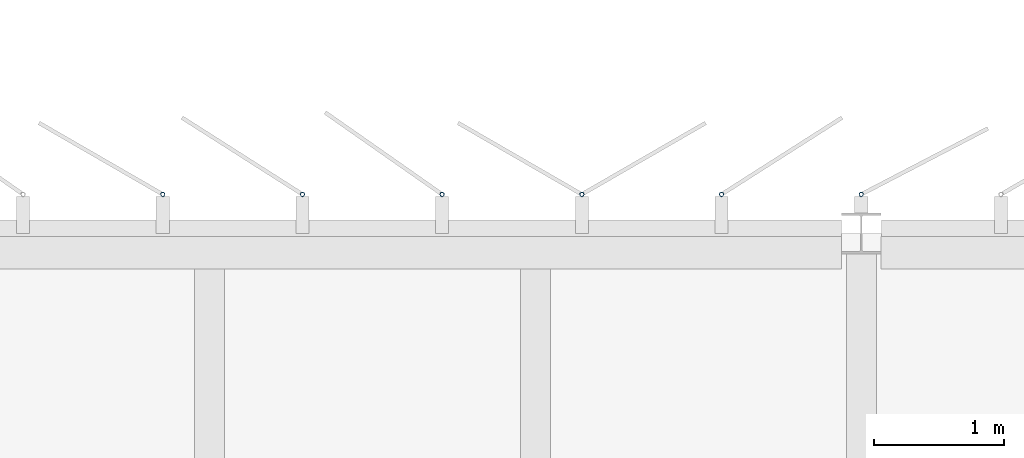
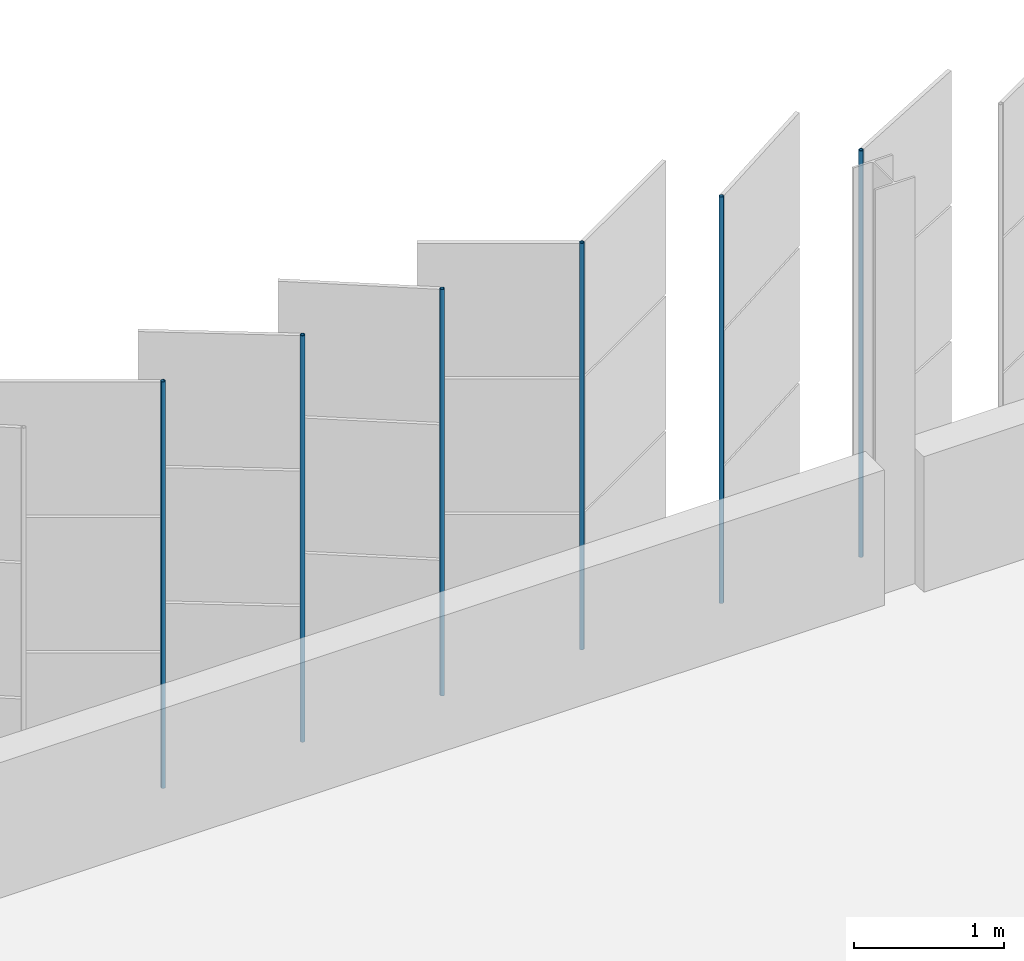
# One storey, part 165 of 214: 6 discrete accessories.
"""IFC4 building model written with IfcOpenShell, lengths in metres."""

from ifc_helpers import new_model, si_unit, direction, frame, origin, origin_2d, place, context, subcontext, project, spatial, hollow_circle, extrude, material, material_profile, profile_set, type_object, element, save


model = new_model("IFC4")

# Units and contexts
model_context = context("Model", 3, precision=1e-05, world=origin(), true_north=direction((0.0, 1.0)))
body_context = subcontext(model_context, "Body", "Model", "MODEL_VIEW")
ifc_project = project(units=[si_unit("LENGTHUNIT", "METRE"), si_unit("AREAUNIT", "SQUARE_METRE"), si_unit("VOLUMEUNIT", "CUBIC_METRE"), si_unit("PLANEANGLEUNIT", "RADIAN"), si_unit("MASSUNIT", "GRAM", prefix="KILO")], contexts=[model_context])

# Site, building, storey
site_placement = place(None, origin())
site = spatial("IfcSite", under=ifc_project, at=site_placement, CompositionType="ELEMENT")
building_placement = place(site_placement, origin())
building = spatial("IfcBuilding", under=site, at=building_placement, Name="Parallax Yard Mobility Hub", CompositionType="ELEMENT")
storey_placement = place(building_placement, frame((0.0, 0.0, 3.300048828125)))
storey = spatial("IfcBuildingStorey", under=building, at=storey_placement, Name="L01", CompositionType="ELEMENT", Elevation=3.300048828125)

# Discrete accessories
ifc_material = material(Name="Steel ASTM A500 Gr C, hot-dip galvanised", Category="steel")
ifc_material_profile = material_profile(ifc_material, hollow_circle(Radius=0.016845703125, WallThickness=0.003173828125, at=origin_2d()), Name="CHS 33.7x3.2")
ifc_profile_set = profile_set([ifc_material_profile], Name="Steel ASTM A500 Gr C, hot-dip galvanised")
discrete_accessory_type = type_object("IfcDiscreteAccessoryType", Name="Hinge post CHS 33.7x3.2", PredefinedType="BRACKET", material=ifc_profile_set)
for number, where, z_axis, x_axis, name in (
    (1, (149.999267578125, 142.800048828125, 0.0), (0.0, 0.0, 1.0), (1.0, 0.0, 0.0), "Hinge post bay 54.1 level L01"),
    (2, (148.927490234375, 142.800048828125, 0.0), (0.0, 0.0, 1.0), (1.0, 0.0, 0.0), "Hinge post bay 54.2 level L01"),
    (3, (147.856201171875, 142.800048828125, 0.0), (0.0, 0.0, 1.0), (1.0, 0.0, 0.0), "Hinge post bay 54.3 level L01"),
    (4, (146.784423828125, 142.800048828125, 0.0), (0.0, 0.0, 1.0), (1.0, 0.0, 0.0), "Hinge post bay 54.4 level L01"),
    (5, (145.712890625, 142.800048828125, 0.0), (0.0, 0.0, 1.0), (1.0, 0.0, 0.0), "Hinge post bay 54.5 level L01"),
    (6, (144.641357421875, 142.800048828125, 0.0), (0.0, 0.0, 1.0), (1.0, 0.0, 0.0), "Hinge post bay 54.6 level L01"),
):
    element("IfcDiscreteAccessory", number, at=place(storey_placement, frame(where, z_axis=z_axis, x_axis=x_axis)), inside=storey, type_object=discrete_accessory_type, Name=name, PredefinedType="BRACKET", context=body_context, shape_type="SweptSolid", body=[
        extrude(hollow_circle(Radius=0.016845703125, WallThickness=0.003173828125, at=origin_2d()), origin(), (0.0, 0.0, 1.0), 3.300048828125),
    ])

save(model, "model.ifc")
